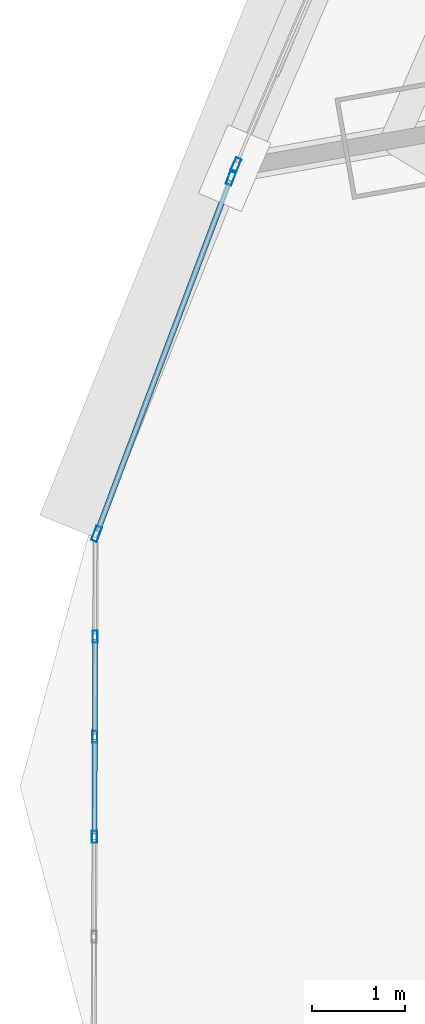
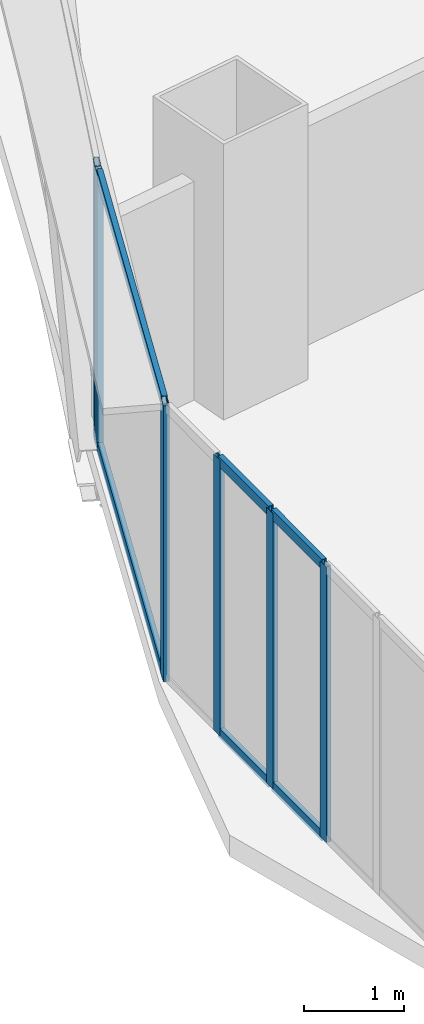
# One storey, part 4 of 42: 12 members, 3 elements without a shape of their own.
"""IFC4 building model written with IfcOpenShell, lengths in metres."""

from ifc_helpers import new_model, si_unit, direction, frame, origin, origin_2d, place, context, subcontext, project, spatial, hollow_rectangle, extrude, source, transform, mapped, material, layer, layer_set, material_profile, profile_set, type_object, element, aggregate, save


model = new_model("IFC4")

# Units and contexts
model_context = context("Model", 3, precision=1e-05, world=origin(), true_north=direction((0.0, 1.0)))
body_context = subcontext(model_context, "Body", "Model", "MODEL_VIEW")
ifc_project = project(units=[si_unit("LENGTHUNIT", "METRE"), si_unit("AREAUNIT", "SQUARE_METRE"), si_unit("VOLUMEUNIT", "CUBIC_METRE"), si_unit("PLANEANGLEUNIT", "RADIAN"), si_unit("MASSUNIT", "GRAM", prefix="KILO"), si_unit("THERMODYNAMICTEMPERATUREUNIT", "KELVIN"), si_unit("POWERUNIT", "WATT")], contexts=[model_context])

# Site, building, storey
site_placement = place(None, origin())
site = spatial("IfcSite", under=ifc_project, at=site_placement, CompositionType="ELEMENT")
building_placement = place(site_placement, origin())
building = spatial("IfcBuilding", under=site, at=building_placement, Name="Yunzhuo Pagoda Commons", CompositionType="ELEMENT")
storey_placement = place(building_placement, frame((0.0, 0.0, 48.550048828125)))
storey = spatial("IfcBuildingStorey", under=building, at=storey_placement, Name="L12", CompositionType="ELEMENT", Elevation=48.550048828125)

# Curtain wall, member
ifc_material = material(Name="Anodized aluminium 6063-T6", Category="aluminium")
ifc_layer_1 = layer(ifc_material, 0.1650390625)
ifc_layer_set_1 = layer_set([ifc_layer_1], Name="Anodized aluminium 6063-T6")
curtain_wall_type_1 = type_object("IfcCurtainWallType", Name="CW-LOW Low-Zone Ribbon Curtain Wall", PredefinedType="NOTDEFINED", material=ifc_layer_set_1)
curtain_wall_1_placement = place(storey_placement, origin())
curtain_wall_1 = element("IfcCurtainWall", 1, at=curtain_wall_1_placement, inside=storey, type_object=curtain_wall_type_1, Name="L12 curtain wall CW-L12-F3B4", PredefinedType="NOTDEFINED")
ifc_material_profile_1 = material_profile(ifc_material, hollow_rectangle(XDim=0.06494140625, YDim=0.1650390625, WallThickness=0.00390625, at=origin_2d()), Name="Anodized aluminium 6063-T6")
ifc_profile_set_1 = profile_set([ifc_material_profile_1], Name="Anodized aluminium 6063-T6")
member_type_1 = type_object("IfcMemberType", Name="CW-LOW-M Mullion RHS 165x65x4", PredefinedType="MULLION", material=ifc_profile_set_1)
shared_shape_1 = source(origin(), body_context, "Body", "SweptSolid", [
    extrude(hollow_rectangle(XDim=0.06494140625, YDim=0.1650390625, WallThickness=0.00390625, at=origin_2d()), origin(), (0.0, 0.0, 1.0), 3.369873046875),
])
member_1_placement = place(storey_placement, frame((6.25341796875, 26.366455078125, 0.0), z_axis=(0.0, 0.0, 1.0), x_axis=(0.918865619656, -0.394570618538, 0.0)))
member_1 = element("IfcMember", 2, at=member_1_placement, type_object=member_type_1, Name="CW mullion 2", PredefinedType="MULLION", context=body_context, shape_type="MappedRepresentation", body=[
    mapped(shared_shape_1, transform((0.0, 0.0, 0.0), scale=1.0)),
])
aggregate(curtain_wall_1, [member_1])

# Curtain wall, members
curtain_wall_2_placement = place(storey_placement, origin())
curtain_wall_2 = element("IfcCurtainWall", 3, at=curtain_wall_2_placement, inside=storey, type_object=curtain_wall_type_1, Name="L12 curtain wall CW-L12-F3B5", PredefinedType="NOTDEFINED")
member_2_placement = place(storey_placement, frame((6.20263671875, 26.236083984375, 0.0), z_axis=(0.0, 0.0, 1.0), x_axis=(0.935566420146, -0.353150780113, 0.0)))
member_2 = element("IfcMember", 4, at=member_2_placement, type_object=member_type_1, Name="CW mullion 1", PredefinedType="MULLION", context=body_context, shape_type="MappedRepresentation", body=[
    mapped(shared_shape_1, transform((0.0, 0.0, 0.0), scale=1.0)),
])
member_3_placement = place(storey_placement, frame((4.760009765625, 22.41455078125, 0.0), z_axis=(0.0, 0.0, 1.0), x_axis=(0.935566420146, -0.353150780113, 0.0)))
member_3 = element("IfcMember", 5, at=member_3_placement, type_object=member_type_1, Name="CW mullion 2", PredefinedType="MULLION", context=body_context, shape_type="MappedRepresentation", body=[
    mapped(shared_shape_1, transform((0.0, 0.0, 0.0), scale=1.0)),
])
ifc_material_profile_2 = material_profile(ifc_material, hollow_rectangle(XDim=0.06005859375, YDim=0.139892578125, WallThickness=0.00341796875, at=origin_2d()), Name="Anodized aluminium 6063-T6")
ifc_profile_set_2 = profile_set([ifc_material_profile_2], Name="Anodized aluminium 6063-T6")
member_type_2 = type_object("IfcMemberType", Name="CW-LOW-T Transom RHS 140x60x3.5", PredefinedType="USERDEFINED", material=ifc_profile_set_2)
shared_shape_2 = source(origin(), body_context, "Body", "SweptSolid", [
    extrude(hollow_rectangle(XDim=0.06005859375, YDim=0.139892578125, WallThickness=0.00341796875, at=origin_2d()), origin(), (0.0, 0.0, 1.0), 4.019775390625),
])
member_4_placement = place(storey_placement, frame((6.191162109375, 26.20556640625, 0.030029296875), z_axis=(-0.353172606042, -0.935558181163, 0.0), x_axis=(0.935558181163, -0.353172606042, 0.0)))
member_4 = element("IfcMember", 6, at=member_4_placement, type_object=member_type_2, Name="CW transom 1.1", ObjectType="TRANSOM", PredefinedType="USERDEFINED", context=body_context, shape_type="MappedRepresentation", body=[
    mapped(shared_shape_2, transform((0.0, 0.0, 0.0), scale=1.0)),
])
member_5_placement = place(storey_placement, frame((6.191162109375, 26.20556640625, 3.33984375), z_axis=(-0.353172606042, -0.935558181163, 0.0), x_axis=(0.935558181163, -0.353172606042, 0.0)))
member_5 = element("IfcMember", 7, at=member_5_placement, type_object=member_type_2, Name="CW transom 1.2", ObjectType="TRANSOM", PredefinedType="USERDEFINED", context=body_context, shape_type="MappedRepresentation", body=[
    mapped(shared_shape_2, transform((0.0, 0.0, 0.0), scale=1.0)),
])
aggregate(curtain_wall_2, [member_2, member_3, member_4, member_5])

ifc_layer_2 = layer(ifc_material, 0.1298828125)
ifc_layer_set_2 = layer_set([ifc_layer_2], Name="Anodized aluminium 6063-T6")
curtain_wall_type_2 = type_object("IfcCurtainWallType", Name="CW-VTX Rounded Corner Curtain Wall", PredefinedType="NOTDEFINED", material=ifc_layer_set_2)
curtain_wall_3_placement = place(storey_placement, origin())
curtain_wall_3 = element("IfcCurtainWall", 8, at=curtain_wall_3_placement, inside=storey, type_object=curtain_wall_type_2, Name="L12 curtain wall CW-L12-VTX1S1", PredefinedType="NOTDEFINED")
ifc_material_profile_3 = material_profile(ifc_material, hollow_rectangle(XDim=0.054931640625, YDim=0.1298828125, WallThickness=0.00341796875, at=origin_2d()), Name="Anodized aluminium 6063-T6")
ifc_profile_set_3 = profile_set([ifc_material_profile_3], Name="Anodized aluminium 6063-T6")
member_type_3 = type_object("IfcMemberType", Name="CW-VTX-M Mullion RHS 130x55x3.5", PredefinedType="MULLION", material=ifc_profile_set_3)
shared_shape_3 = source(origin(), body_context, "Body", "SweptSolid", [
    extrude(hollow_rectangle(XDim=0.054931640625, YDim=0.1298828125, WallThickness=0.00341796875, at=origin_2d()), origin(), (0.0, 0.0, 1.0), 3.369873046875),
])
member_6_placement = place(storey_placement, frame((4.74462890625, 21.311279296875, 0.0), z_axis=(0.0, 0.0, 1.0), x_axis=(0.999993595138, -0.003579061808, 0.0)))
member_6 = element("IfcMember", 9, at=member_6_placement, type_object=member_type_3, Name="CW mullion 2", PredefinedType="MULLION", context=body_context, shape_type="MappedRepresentation", body=[
    mapped(shared_shape_3, transform((0.0, 0.0, 0.0), scale=1.0)),
])
member_7_placement = place(storey_placement, frame((4.74072265625, 20.23828125, 0.0), z_axis=(0.0, 0.0, 1.0), x_axis=(0.999993595138, -0.003579061808, 0.0)))
member_7 = element("IfcMember", 10, at=member_7_placement, type_object=member_type_3, Name="CW mullion 3", PredefinedType="MULLION", context=body_context, shape_type="MappedRepresentation", body=[
    mapped(shared_shape_3, transform((0.0, 0.0, 0.0), scale=1.0)),
])
member_8_placement = place(storey_placement, frame((4.7373046875, 19.165283203125, 0.0), z_axis=(0.0, 0.0, 1.0), x_axis=(0.999993595138, -0.003579061808, 0.0)))
member_8 = element("IfcMember", 11, at=member_8_placement, type_object=member_type_3, Name="CW mullion 4", PredefinedType="MULLION", context=body_context, shape_type="MappedRepresentation", body=[
    mapped(shared_shape_3, transform((0.0, 0.0, 0.0), scale=1.0)),
])
ifc_material_profile_4 = material_profile(ifc_material, hollow_rectangle(XDim=0.054931640625, YDim=0.1201171875, WallThickness=0.00341796875, at=origin_2d()), Name="Anodized aluminium 6063-T6")
ifc_profile_set_4 = profile_set([ifc_material_profile_4], Name="Anodized aluminium 6063-T6")
member_type_4 = type_object("IfcMemberType", Name="CW-VTX-T Transom RHS 120x55x3.5", PredefinedType="USERDEFINED", material=ifc_profile_set_4)
shared_shape_4 = source(origin(), body_context, "Body", "SweptSolid", [
    extrude(hollow_rectangle(XDim=0.054931640625, YDim=0.1201171875, WallThickness=0.00341796875, at=origin_2d()), origin(), (0.0, 0.0, 1.0), 1.017822265625),
])
member_9_placement = place(storey_placement, frame((4.74462890625, 21.28369140625, 0.02734375), z_axis=(-0.00359796184, -0.999993527314, 0.0), x_axis=(0.999993527314, -0.00359796184, 0.0)))
member_9 = element("IfcMember", 12, at=member_9_placement, type_object=member_type_4, Name="CW transom 2.1", ObjectType="TRANSOM", PredefinedType="USERDEFINED", context=body_context, shape_type="MappedRepresentation", body=[
    mapped(shared_shape_4, transform((0.0, 0.0, 0.0), scale=1.0)),
])
member_10_placement = place(storey_placement, frame((4.74462890625, 21.28369140625, 3.342529296875), z_axis=(-0.00359796184, -0.999993527314, 0.0), x_axis=(0.999993527314, -0.00359796184, 0.0)))
member_10 = element("IfcMember", 13, at=member_10_placement, type_object=member_type_4, Name="CW transom 2.2", ObjectType="TRANSOM", PredefinedType="USERDEFINED", context=body_context, shape_type="MappedRepresentation", body=[
    mapped(shared_shape_4, transform((0.0, 0.0, 0.0), scale=1.0)),
])
member_11_placement = place(storey_placement, frame((4.74072265625, 20.210693359375, 0.02734375), z_axis=(-0.003358100519, -0.999994361565, 0.0), x_axis=(0.999994361565, -0.003358100519, 0.0)))
member_11 = element("IfcMember", 14, at=member_11_placement, type_object=member_type_4, Name="CW transom 3.1", ObjectType="TRANSOM", PredefinedType="USERDEFINED", context=body_context, shape_type="MappedRepresentation", body=[
    mapped(shared_shape_4, transform((0.0, 0.0, 0.0), scale=1.0)),
])
member_12_placement = place(storey_placement, frame((4.74072265625, 20.210693359375, 3.342529296875), z_axis=(-0.003358100519, -0.999994361565, 0.0), x_axis=(0.999994361565, -0.003358100519, 0.0)))
member_12 = element("IfcMember", 15, at=member_12_placement, type_object=member_type_4, Name="CW transom 3.2", ObjectType="TRANSOM", PredefinedType="USERDEFINED", context=body_context, shape_type="MappedRepresentation", body=[
    mapped(shared_shape_4, transform((0.0, 0.0, 0.0), scale=1.0)),
])
aggregate(curtain_wall_3, [member_6, member_7, member_8, member_9, member_10, member_11, member_12])

save(model, "model.ifc")
